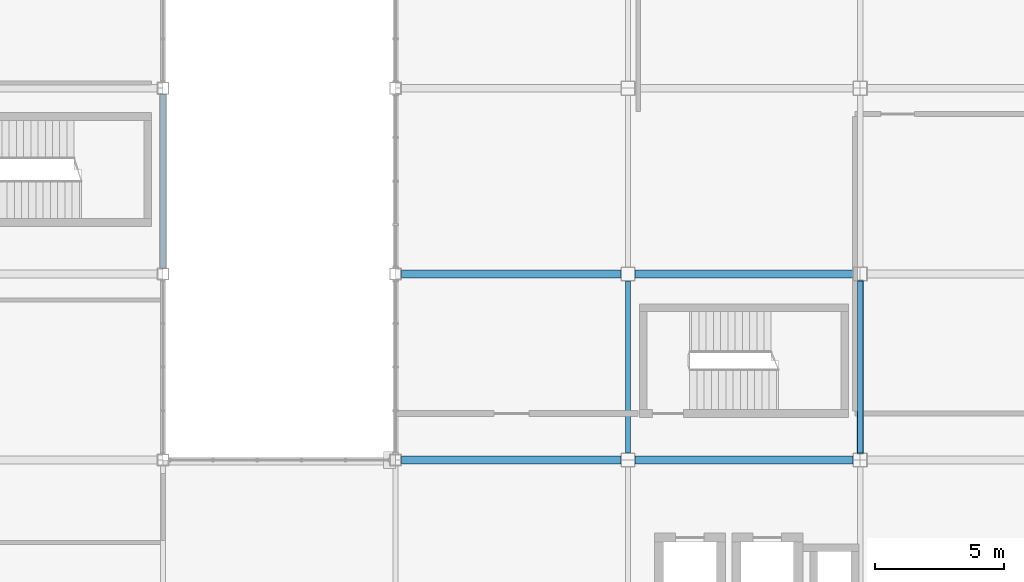
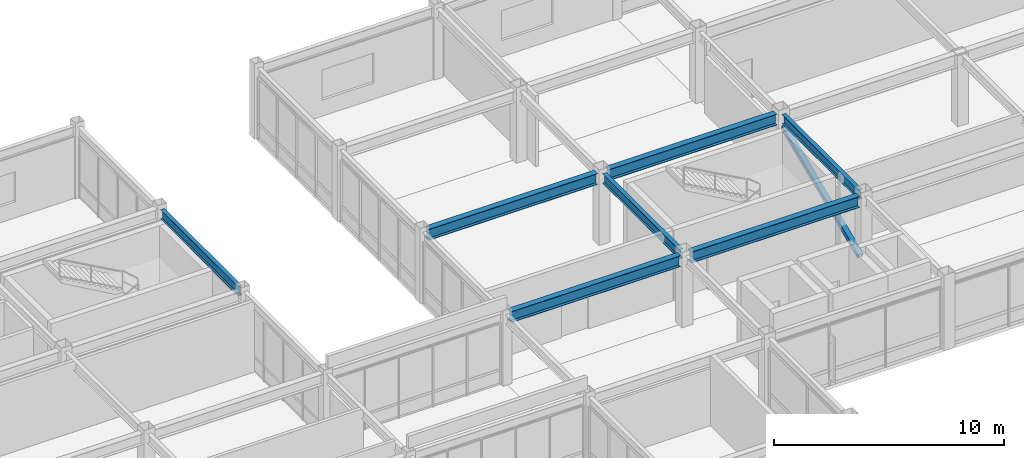
# One storey, part 63 of 122: 7 beams, 1 member.
"""IFC4 building model written with IfcOpenShell, lengths in metres."""

from ifc_helpers import new_model, si_unit, direction, frame, origin, origin_2d, place, context, subcontext, project, spatial, hollow_rectangle, i_section, extrude, material, material_profile, profile_set, type_object, element, save


model = new_model("IFC4")

# Units and contexts
model_context = context("Model", 3, precision=1e-05, world=origin(), true_north=direction((0.0, 1.0)))
body_context = subcontext(model_context, "Body", "Model", "MODEL_VIEW")
ifc_project = project(units=[si_unit("LENGTHUNIT", "METRE"), si_unit("AREAUNIT", "SQUARE_METRE"), si_unit("VOLUMEUNIT", "CUBIC_METRE"), si_unit("PLANEANGLEUNIT", "RADIAN"), si_unit("MASSUNIT", "GRAM", prefix="KILO")], contexts=[model_context])

# Site, building, storey
site_placement = place(None, origin())
site = spatial("IfcSite", under=ifc_project, at=site_placement, CompositionType="ELEMENT")
building_placement = place(site_placement, origin())
building = spatial("IfcBuilding", under=site, at=building_placement, Name="Kazanami Central Library", CompositionType="ELEMENT")
storey_placement = place(building_placement, frame((0.0, 0.0, 4.800048828125)))
storey = spatial("IfcBuildingStorey", under=building, at=storey_placement, Name="L02", CompositionType="ELEMENT", Elevation=4.800048828125)

# Beams
ifc_material_1 = material(Name="Steel SN490B (325 MPa)", Category="steel")
ifc_material_profile_1 = material_profile(ifc_material_1, i_section(OverallWidth=0.300048828125, OverallDepth=0.587890625, WebThickness=0.011962890625, FlangeThickness=0.02001953125, at=origin_2d()), Name="H-588x300x12x20")
ifc_profile_set_1 = profile_set([ifc_material_profile_1], Name="Steel SN490B (325 MPa)")
beam_type_1 = type_object("IfcBeamType", Name="BM-G-X2", PredefinedType="BEAM", material=ifc_profile_set_1)
beam_1_placement = place(storey_placement, frame((45.222900390625, 72.0, 3.4609375), z_axis=(1.0, 0.0, 0.0), x_axis=(0.0, 1.0, 0.0)))
element("IfcBeam", 1, at=beam_1_placement, inside=storey, type_object=beam_type_1, Name="Girder G-X2 L02 L/6-7", PredefinedType="BEAM", context=body_context, shape_type="SweptSolid", body=[
    extrude(i_section(OverallWidth=0.300048828125, OverallDepth=0.587890625, WebThickness=0.011962890625, FlangeThickness=0.02001953125, at=origin_2d()), origin(), (0.0, 0.0, 1.0), 8.504150390625),
])
beam_2_placement = place(storey_placement, frame((54.27294921875, 72.0, 3.4609375), z_axis=(1.0, 0.0, 0.0), x_axis=(0.0, 1.0, 0.0)))
element("IfcBeam", 2, at=beam_2_placement, inside=storey, type_object=beam_type_1, Name="Girder G-X2 L02 L/7-8", PredefinedType="BEAM", context=body_context, shape_type="SweptSolid", body=[
    extrude(i_section(OverallWidth=0.300048828125, OverallDepth=0.587890625, WebThickness=0.011962890625, FlangeThickness=0.02001953125, at=origin_2d()), origin(), (0.0, 0.0, 1.0), 8.4541015625),
])
beam_3_placement = place(storey_placement, frame((45.222900390625, 79.199951171875, 3.4609375), z_axis=(1.0, 0.0, 0.0), x_axis=(0.0, 1.0, 0.0)))
element("IfcBeam", 3, at=beam_3_placement, inside=storey, type_object=beam_type_1, Name="Girder G-X2 L02 M/6-7", PredefinedType="BEAM", context=body_context, shape_type="SweptSolid", body=[
    extrude(i_section(OverallWidth=0.300048828125, OverallDepth=0.587890625, WebThickness=0.011962890625, FlangeThickness=0.02001953125, at=origin_2d()), origin(), (0.0, 0.0, 1.0), 8.504150390625),
])
beam_4_placement = place(storey_placement, frame((54.27294921875, 79.199951171875, 3.4609375), z_axis=(1.0, 0.0, 0.0), x_axis=(0.0, 1.0, 0.0)))
element("IfcBeam", 4, at=beam_4_placement, inside=storey, type_object=beam_type_1, Name="Girder G-X2 L02 M/7-8", PredefinedType="BEAM", context=body_context, shape_type="SweptSolid", body=[
    extrude(i_section(OverallWidth=0.300048828125, OverallDepth=0.587890625, WebThickness=0.011962890625, FlangeThickness=0.02001953125, at=origin_2d()), origin(), (0.0, 0.0, 1.0), 8.4541015625),
])
ifc_material_profile_2 = material_profile(ifc_material_1, i_section(OverallWidth=0.199951171875, OverallDepth=0.5, WebThickness=0.010009765625, FlangeThickness=0.01611328125, at=origin_2d()), Name="H-500x200x10x16")
ifc_profile_set_2 = profile_set([ifc_material_profile_2], Name="Steel SN490B (325 MPa)")
beam_type_2 = type_object("IfcBeamType", Name="BM-G-Y2", PredefinedType="BEAM", material=ifc_profile_set_2)
for number, where, z_axis, x_axis, name in (
    (5, (54.0, 72.27294921875, 3.5048828125), (0.0, 1.0, 0.0), (-1.0, 0.0, 0.0), "Girder G-Y2 L02 7/L-M"),
    (6, (63.0, 72.27294921875, 3.5048828125), (0.0, 1.0, 0.0), (-1.0, 0.0, 0.0), "Girder G-Y2 L02 8/L-M"),
):
    element("IfcBeam", number, at=place(storey_placement, frame(where, z_axis=z_axis, x_axis=x_axis)), inside=storey, type_object=beam_type_2, Name=name, PredefinedType="BEAM", context=body_context, shape_type="SweptSolid", body=[
        extrude(i_section(OverallWidth=0.199951171875, OverallDepth=0.5, WebThickness=0.010009765625, FlangeThickness=0.01611328125, at=origin_2d()), origin(), (0.0, 0.0, 1.0), 6.654052734375),
    ])
ifc_material_profile_3 = material_profile(ifc_material_1, i_section(OverallWidth=0.199951171875, OverallDepth=0.5, WebThickness=0.010009765625, FlangeThickness=0.01611328125, at=origin_2d()), Name="H-500x200x10x16")
ifc_profile_set_3 = profile_set([ifc_material_profile_3], Name="Steel SN490B (325 MPa)")
beam_type_3 = type_object("IfcBeamType", Name="BM-SP-1", PredefinedType="SPANDREL", material=ifc_profile_set_3)
beam_5_placement = place(storey_placement, frame((36.0, 79.423095703125, 3.5048828125), z_axis=(0.0, 1.0, 0.0), x_axis=(-1.0, 0.0, 0.0)))
element("IfcBeam", 7, at=beam_5_placement, inside=storey, type_object=beam_type_3, Name="Girder SP-1 L02 5/M-N", PredefinedType="SPANDREL", context=body_context, shape_type="SweptSolid", body=[
    extrude(i_section(OverallWidth=0.199951171875, OverallDepth=0.5, WebThickness=0.010009765625, FlangeThickness=0.01611328125, at=origin_2d()), origin(), (0.0, 0.0, 1.0), 6.75390625),
])

# Member
ifc_material_2 = material(Name="Steel STK490 (315 MPa)", Category="steel")
ifc_material_profile_4 = material_profile(ifc_material_2, hollow_rectangle(XDim=0.25, YDim=0.25, WallThickness=0.011962890625, at=origin_2d()), Name="STKR-250x250x12")
ifc_profile_set_4 = profile_set([ifc_material_profile_4], Name="Steel STK490 (315 MPa)")
member_type = type_object("IfcMemberType", Name="MEM-BR-07", PredefinedType="BRACE", material=ifc_profile_set_4)
member_placement = place(storey_placement, frame((63.0, 72.27490234375, 0.25), z_axis=(0.0, 0.920398716646, 0.390981076776), x_axis=(-1.0, 0.0, 0.0)))
element("IfcMember", 8, at=member_placement, inside=storey, type_object=member_type, Name="Concentric Steel Brace BR-07 L02 BF-V1A", PredefinedType="BRACE", context=body_context, shape_type="SweptSolid", body=[
    extrude(hollow_rectangle(XDim=0.25, YDim=0.25, WallThickness=0.011962890625, at=origin_2d()), origin(), (0.0, 0.0, 1.0), 7.225341796875),
])

save(model, "model.ifc")
